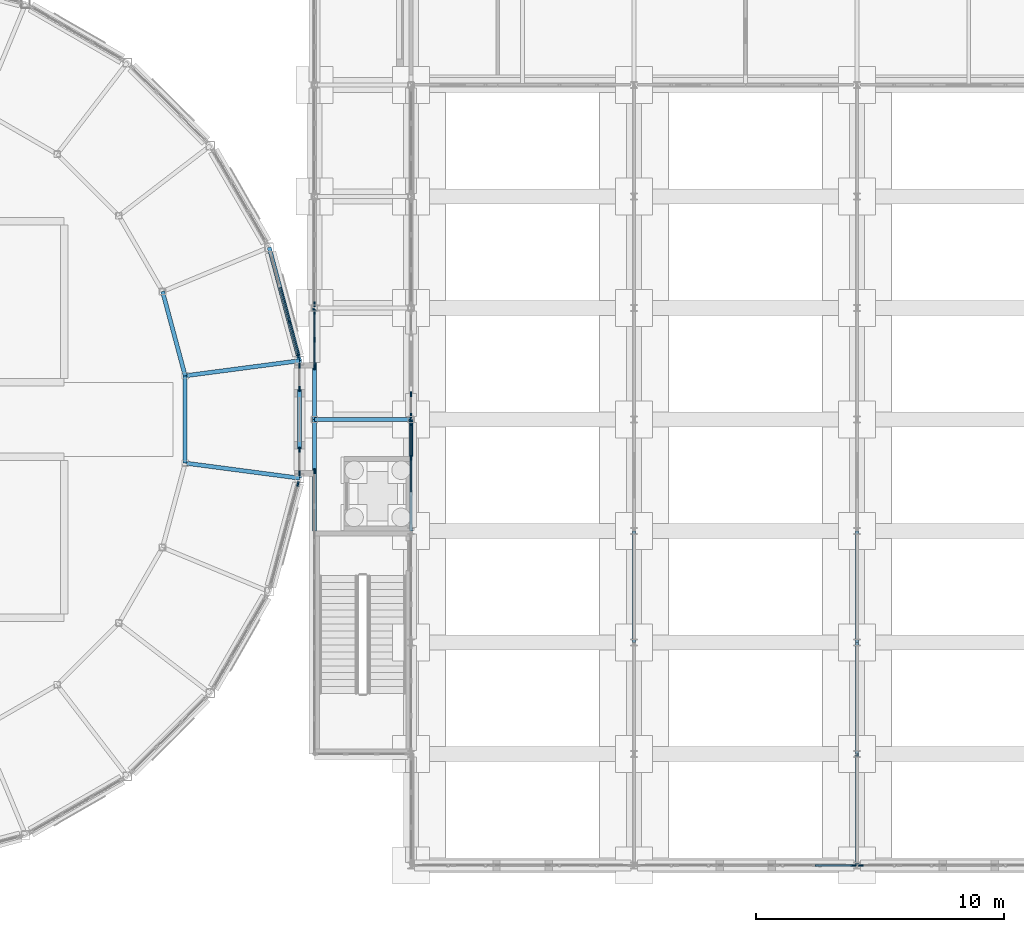
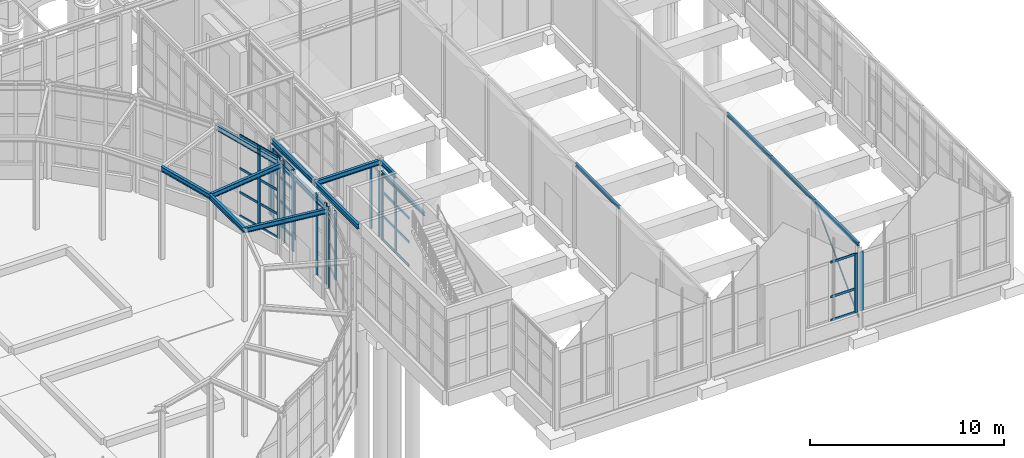
# One storey, part 43 of 106: 46 members, 15 beams, 11 elements without a shape of their own.
"""IFC4 building model written with IfcOpenShell, lengths in metres."""

import ifcopenshell
import ifcopenshell.guid

model = None  # the IFC model being written
_history = None  # IfcOwnerHistory: only IFC2X3 demands one
_inside = {}  # id of a spatial element -> (the spatial element, [elements in it])
_under = {}  # id of a project, library or spatial element -> (it, [spatial elements below it])
_declared = {}  # id of a project -> (the project, [libraries it declares])
_typed = {}  # id of a type object -> (the type object, [elements of that type])
_made_of = {}  # id of a material, layer set ... -> (it, [elements and type objects made of it])


def new_model(schema):
    """Start an empty IFC model of exactly this schema.

    Asked for "IFC4X3", IfcOpenShell would pick the latest addendum, in which some entities
    have other attributes; the version numbers below select the first issue.
    IFC2X3 requires an IfcOwnerHistory on every rooted entity: one is made here for all.
    """
    global model, _history
    if schema == "IFC4X3":
        model = ifcopenshell.file(schema_version=(4, 3, 0, 0))
    else:
        model = ifcopenshell.file(schema=schema)
    _inside.clear()
    _under.clear()
    _declared.clear()
    _typed.clear()
    _made_of.clear()
    _history = None
    if model.schema == "IFC2X3":
        org = make("IfcOrganization", Name="unknown")
        user = make(
            "IfcPersonAndOrganization",
            ThePerson=make("IfcPerson", FamilyName="unknown"),
            TheOrganization=org,
        )
        app = make(
            "IfcApplication",
            ApplicationDeveloper=org,
            Version="unknown",
            ApplicationFullName="unknown",
            ApplicationIdentifier="unknown",
        )
        _history = make(
            "IfcOwnerHistory",
            OwningUser=user,
            OwningApplication=app,
            ChangeAction="ADDED",
            CreationDate=0,
        )
    return model


def make(cls, **values):
    """One entity of the class cls with the attributes given. An attribute that is None is left unset."""
    return model.create_entity(
        cls, **{name: value for name, value in values.items() if value is not None}
    )


def rooted(cls, **values):
    """An entity with a GlobalId (a new one), such as an element, a storey or a relation."""
    return make(cls, GlobalId=ifcopenshell.guid.new(), OwnerHistory=_history, **values)


def si_unit(unit_type, name, prefix=None):
    """IfcSIUnit, for example si_unit("LENGTHUNIT", "METRE", prefix="MILLI")."""
    return make("IfcSIUnit", UnitType=unit_type, Prefix=prefix, Name=name)


def assignment(units):
    """IfcUnitAssignment: the units of a project."""
    return None if units is None else make("IfcUnitAssignment", Units=units)


def point(xyz):
    """IfcCartesianPoint."""
    return None if xyz is None else make("IfcCartesianPoint", Coordinates=xyz)


def direction(xyz):
    """IfcDirection."""
    return None if xyz is None else make("IfcDirection", DirectionRatios=xyz)


def frame(location, z_axis=None, x_axis=None):
    """IfcAxis2Placement3D, a coordinate frame: its origin and axes. An axis left out is left unset."""
    return make(
        "IfcAxis2Placement3D",
        Location=point(location),
        Axis=direction(z_axis),
        RefDirection=direction(x_axis),
    )


def frame_2d(location, x_axis=None):
    """IfcAxis2Placement2D, a coordinate frame in the plane: its origin and x axis."""
    return make(
        "IfcAxis2Placement2D", Location=point(location), RefDirection=direction(x_axis)
    )


def origin():
    """The frame at (0, 0, 0) with its axes left unset."""
    return frame((0.0, 0.0, 0.0))


def origin_2d():
    """The frame at (0, 0) in the plane with its x axis left unset."""
    return frame_2d((0.0, 0.0))


def place(relative_to, where):
    """IfcLocalPlacement: puts the frame where relative to a parent placement (None: the world)."""
    return make(
        "IfcLocalPlacement", PlacementRelTo=relative_to, RelativePlacement=where
    )


def context(
    kind, dimensions, precision=None, world=None, true_north=None, identifier=None
):
    """IfcGeometricRepresentationContext, for example the 3D "Model" context."""
    return make(
        "IfcGeometricRepresentationContext",
        ContextIdentifier=identifier,
        ContextType=kind,
        CoordinateSpaceDimension=dimensions,
        Precision=precision,
        WorldCoordinateSystem=world,
        TrueNorth=true_north,
    )


def subcontext(parent, identifier, kind, view, scale=None):
    """IfcGeometricRepresentationSubContext, for example "Body" below "Model"."""
    return make(
        "IfcGeometricRepresentationSubContext",
        ContextIdentifier=identifier,
        ContextType=kind,
        ParentContext=parent,
        TargetScale=scale,
        TargetView=view,
    )


def project(units=None, contexts=None):
    """IfcProject with its units and contexts."""
    return rooted(
        "IfcProject",
        Name="project",
        RepresentationContexts=contexts,
        UnitsInContext=assignment(units),
    )


def spatial(cls, under=None, at=None, **own):
    """A site, building, storey or space (cls), placed at a placement, below another one or the project."""
    s = rooted(cls, ObjectPlacement=at, **own)
    if under is not None:
        _under.setdefault(under.id(), (under, []))[1].append(s)
    return s


def profile(cls, at=None, kind="AREA", **sizes):
    """A parametric profile (cls). Its sizes go by their IFC names, for example OverallWidth=200.0."""
    return make(cls, ProfileType=kind, Position=at, **sizes)


def rectangle(**sizes):
    """IfcRectangleProfileDef."""
    return profile("IfcRectangleProfileDef", **sizes)


def hollow_circle(**sizes):
    """IfcCircleHollowProfileDef."""
    return profile("IfcCircleHollowProfileDef", **sizes)


def i_section(**sizes):
    """IfcIShapeProfileDef."""
    return profile("IfcIShapeProfileDef", **sizes)


def extrude(swept, where, along, depth):
    """IfcExtrudedAreaSolid: the profile swept, set in the frame where, extruded along a direction by depth."""
    return make(
        "IfcExtrudedAreaSolid",
        SweptArea=swept,
        Position=where,
        ExtrudedDirection=direction(along),
        Depth=depth,
    )


def shape(context_of_items, identifier, shape_type, items):
    """IfcShapeRepresentation: the items that make up one representation, for example the "Body"."""
    return make(
        "IfcShapeRepresentation",
        ContextOfItems=context_of_items,
        RepresentationIdentifier=identifier,
        RepresentationType=shape_type,
        Items=items,
    )


def material(Name=None, Category=None):
    """IfcMaterial."""
    return make("IfcMaterial", Name=Name, Category=Category)


def layer(
    of_material, thickness, ventilated=None, Name=None, Category=None, Priority=None
):
    """IfcMaterialLayer: one layer of a wall or slab, of a material (None: an air gap)."""
    return make(
        "IfcMaterialLayer",
        Material=of_material,
        LayerThickness=thickness,
        IsVentilated=ventilated,
        Name=Name,
        Category=Category,
        Priority=Priority,
    )


def layer_set(layers, Name=None):
    """IfcMaterialLayerSet."""
    return make("IfcMaterialLayerSet", MaterialLayers=layers, LayerSetName=Name)


def material_profile(
    of_material, cross_section, Name=None, Category=None, Priority=None
):
    """IfcMaterialProfile: a cross section and its material."""
    return make(
        "IfcMaterialProfile",
        Name=Name,
        Material=of_material,
        Profile=cross_section,
        Priority=Priority,
        Category=Category,
    )


def profile_set(profiles, Name=None, composite=None):
    """IfcMaterialProfileSet."""
    return make(
        "IfcMaterialProfileSet",
        Name=Name,
        MaterialProfiles=profiles,
        CompositeProfile=composite,
    )


def made_of(thing, what):
    """Note that an element or type object is made of a material, layer set ...; save() writes the relation."""
    if what is not None:
        _made_of.setdefault(what.id(), (what, []))[1].append(thing)
    return thing


def type_object(cls, material=None, **own):
    """A type object (cls), such as IfcWallType, which elements share."""
    return made_of(rooted(cls, **own), material)


def element(
    cls,
    number,
    at=None,
    inside=None,
    cuts=None,
    type_object=None,
    material=None,
    context=None,
    identifier="Body",
    shape_type=None,
    held_by="IfcProductDefinitionShape",
    body=None,
    shapes=None,
    **own,
):
    """One element of the class cls, such as IfcWall. Its Tag is "e" and its number.

    at: its placement. inside: the storey or other place that contains it. cuts: it is an
    opening in that element (IfcRelVoidsElement). A single representation is given by context,
    identifier, shape_type and body (its items); several are given by shapes. held_by: the class
    of the entity that holds the representations. save() writes the other relations.
    """
    e = rooted(cls, Tag="e%d" % number, ObjectPlacement=at, **own)
    if body is not None:
        shapes = [shape(context, identifier, shape_type, body)]
    if shapes is not None:
        e.Representation = make(held_by, Representations=shapes)
    if inside is not None:
        _inside.setdefault(inside.id(), (inside, []))[1].append(e)
    if cuts is not None:
        rooted(
            "IfcRelVoidsElement", RelatingBuildingElement=cuts, RelatedOpeningElement=e
        )
    if type_object is not None:
        _typed.setdefault(type_object.id(), (type_object, []))[1].append(e)
    return made_of(e, material)


def aggregate(whole, parts):
    """IfcRelAggregates: a whole, such as a stair, and the parts it consists of."""
    return rooted("IfcRelAggregates", RelatingObject=whole, RelatedObjects=parts)


def save(model, path):
    """Write the relations noted so far, then the file.

    IfcRelAggregates (storeys below a building ...), IfcRelContainedInSpatialStructure (elements
    in a storey), IfcRelDefinesByType, IfcRelAssociatesMaterial and IfcRelDeclares: one each for
    every whole, place, type object, material and project.
    """
    for whole, parts in _under.values():
        aggregate(whole, parts)
    for where, things in _inside.values():
        rooted(
            "IfcRelContainedInSpatialStructure",
            RelatedElements=things,
            RelatingStructure=where,
        )
    for kind, things in _typed.values():
        rooted("IfcRelDefinesByType", RelatedObjects=things, RelatingType=kind)
    for what, things in _made_of.values():
        rooted("IfcRelAssociatesMaterial", RelatedObjects=things, RelatingMaterial=what)
    for by, libraries in _declared.values():
        rooted("IfcRelDeclares", RelatingContext=by, RelatedDefinitions=libraries)
    model.write(path)


model = new_model("IFC4")

# Units and contexts
model_context = context("Model", 3, precision=1e-05, world=origin(), true_north=direction((0.0, 1.0)))
body_context = subcontext(model_context, "Body", "Model", "MODEL_VIEW")
ifc_project = project(units=[si_unit("LENGTHUNIT", "METRE"), si_unit("AREAUNIT", "SQUARE_METRE"), si_unit("VOLUMEUNIT", "CUBIC_METRE"), si_unit("PLANEANGLEUNIT", "RADIAN"), si_unit("MASSUNIT", "GRAM", prefix="KILO")], contexts=[model_context])

# Site, building, storey
site_placement = place(None, origin())
site = spatial("IfcSite", under=ifc_project, at=site_placement, CompositionType="ELEMENT")
building_placement = place(site_placement, origin())
building = spatial("IfcBuilding", under=site, at=building_placement, Name="Hortulan Conservatory and Botanical Research Centre", CompositionType="ELEMENT")
storey_placement = place(building_placement, origin())
storey = spatial("IfcBuildingStorey", under=building, at=storey_placement, Name="L00", CompositionType="ELEMENT", Elevation=0.0)

# Curtain wall, members
ifc_material_1 = material(Name="Bronze-finished aluminium", Category="aluminium")
ifc_layer = layer(ifc_material_1, 0.10009765625)
ifc_layer_set = layer_set([ifc_layer], Name="Bronze-framed Curtain Wall 1500 module")
curtain_wall_type = type_object("IfcCurtainWallType", Name="Bronze-framed Curtain Wall 1500 module", PredefinedType="NOTDEFINED", material=ifc_layer_set)
curtain_wall_1_placement = place(storey_placement, origin())
curtain_wall_1 = element("IfcCurtainWall", 1, at=curtain_wall_1_placement, inside=storey, type_object=curtain_wall_type, Name="Curtain wall", PredefinedType="NOTDEFINED")
ifc_material_profile_1 = material_profile(ifc_material_1, rectangle(XDim=0.06005859375, YDim=0.199951171875, at=origin_2d()), Name="Bronze Mullion 60x200")
ifc_profile_set_1 = profile_set([ifc_material_profile_1], Name="Bronze-finished aluminium")
member_type_1 = type_object("IfcMemberType", Name="Bronze Mullion 60x200", PredefinedType="MULLION", material=ifc_profile_set_1)
member_1_placement = place(storey_placement, frame((71.572509765625, 21.965087890625, 0.89990234375), z_axis=(0.0, 0.0, 1.0), x_axis=(0.965922372015, 0.258831936284, 0.0)))
member_1 = element("IfcMember", 2, at=member_1_placement, type_object=member_type_1, Name="CW1 mullion 3", PredefinedType="MULLION", context=body_context, shape_type="SweptSolid", body=[
    extrude(rectangle(XDim=0.06005859375, YDim=0.199951171875, at=origin_2d()), origin(), (0.0, 0.0, 1.0), 5.10009765625),
])
member_2_placement = place(storey_placement, frame((71.936767578125, 20.60595703125, 0.89990234375), z_axis=(0.0, 0.0, 1.0), x_axis=(0.965922372015, 0.258831936284, 0.0)))
member_2 = element("IfcMember", 3, at=member_2_placement, type_object=member_type_1, Name="CW1 mullion 4", PredefinedType="MULLION", context=body_context, shape_type="SweptSolid", body=[
    extrude(rectangle(XDim=0.06005859375, YDim=0.199951171875, at=origin_2d()), origin(), (0.0, 0.0, 1.0), 5.10009765625),
])

# Curtain wall, member
curtain_wall_2_placement = place(storey_placement, origin())
curtain_wall_2 = element("IfcCurtainWall", 4, at=curtain_wall_2_placement, inside=storey, type_object=curtain_wall_type, Name="Curtain wall", PredefinedType="NOTDEFINED")
member_3_placement = place(storey_placement, frame((71.936767578125, 15.39404296875, 0.89990234375), z_axis=(0.0, 0.0, 1.0), x_axis=(0.965922372015, -0.258831936284, 0.0)))
member_3 = element("IfcMember", 5, at=member_3_placement, type_object=member_type_1, Name="CW1 mullion 1", PredefinedType="MULLION", context=body_context, shape_type="SweptSolid", body=[
    extrude(rectangle(XDim=0.06005859375, YDim=0.199951171875, at=origin_2d()), origin(), (0.0, 0.0, 1.0), 5.10009765625),
])
aggregate(curtain_wall_2, [member_3])

# Curtain wall, members
curtain_wall_3_placement = place(storey_placement, origin())
curtain_wall_3 = element("IfcCurtainWall", 6, at=curtain_wall_3_placement, inside=storey, type_object=curtain_wall_type, Name="Curtain wall", PredefinedType="NOTDEFINED")
member_4_placement = place(storey_placement, frame((72.0, 20.1650390625, 0.89990234375), z_axis=(0.0, 0.0, 1.0), x_axis=(1.0, 0.0, 0.0)))
member_4 = element("IfcMember", 7, at=member_4_placement, type_object=member_type_1, Name="CW1 mullion 1", PredefinedType="MULLION", context=body_context, shape_type="SweptSolid", body=[
    extrude(rectangle(XDim=0.06005859375, YDim=0.199951171875, at=origin_2d()), origin(), (0.0, 0.0, 1.0), 5.10009765625),
])
member_5_placement = place(storey_placement, frame((72.0, 19.22998046875, 0.89990234375), z_axis=(0.0, 0.0, 1.0), x_axis=(1.0, 0.0, 0.0)))
member_5 = element("IfcMember", 8, at=member_5_placement, type_object=member_type_1, Name="CW1 mullion 2", PredefinedType="MULLION", context=body_context, shape_type="SweptSolid", body=[
    extrude(rectangle(XDim=0.06005859375, YDim=0.199951171875, at=origin_2d()), origin(), (0.0, 0.0, 1.0), 5.10009765625),
])
aggregate(curtain_wall_3, [member_4, member_5])

curtain_wall_4_placement = place(storey_placement, origin())
curtain_wall_4 = element("IfcCurtainWall", 9, at=curtain_wall_4_placement, inside=storey, type_object=curtain_wall_type, Name="Curtain wall", PredefinedType="NOTDEFINED")
member_6_placement = place(storey_placement, frame((72.0, 16.77001953125, 0.89990234375), z_axis=(0.0, 0.0, 1.0), x_axis=(1.0, 0.0, 0.0)))
member_6 = element("IfcMember", 10, at=member_6_placement, type_object=member_type_1, Name="CW1 mullion 1", PredefinedType="MULLION", context=body_context, shape_type="SweptSolid", body=[
    extrude(rectangle(XDim=0.06005859375, YDim=0.199951171875, at=origin_2d()), origin(), (0.0, 0.0, 1.0), 5.10009765625),
])
member_7_placement = place(storey_placement, frame((72.0, 15.8349609375, 0.89990234375), z_axis=(0.0, 0.0, 1.0), x_axis=(1.0, 0.0, 0.0)))
member_7 = element("IfcMember", 11, at=member_7_placement, type_object=member_type_1, Name="CW1 mullion 2", PredefinedType="MULLION", context=body_context, shape_type="SweptSolid", body=[
    extrude(rectangle(XDim=0.06005859375, YDim=0.199951171875, at=origin_2d()), origin(), (0.0, 0.0, 1.0), 5.10009765625),
])
aggregate(curtain_wall_4, [member_6, member_7])

# Curtain wall, member
curtain_wall_5_placement = place(storey_placement, origin())
curtain_wall_5 = element("IfcCurtainWall", 12, at=curtain_wall_5_placement, inside=storey, type_object=curtain_wall_type, Name="Curtain wall", PredefinedType="NOTDEFINED")
member_8_placement = place(storey_placement, frame((72.60009765625, 15.900390625, 0.89990234375), z_axis=(0.0, 0.0, 1.0), x_axis=(-1.0, 0.0, 0.0)))
member_8 = element("IfcMember", 13, at=member_8_placement, type_object=member_type_1, Name="CW1 mullion 9", PredefinedType="MULLION", context=body_context, shape_type="SweptSolid", body=[
    extrude(rectangle(XDim=0.06005859375, YDim=0.199951171875, at=origin_2d()), origin(), (0.0, 0.0, 1.0), 4.340087890625),
])
aggregate(curtain_wall_5, [member_8])

# Curtain wall, members
curtain_wall_6_placement = place(storey_placement, origin())
curtain_wall_6 = element("IfcCurtainWall", 14, at=curtain_wall_6_placement, inside=storey, type_object=curtain_wall_type, Name="Curtain wall", PredefinedType="NOTDEFINED")
member_9_placement = place(storey_placement, frame((72.60009765625, 20.099609375, 0.89990234375), z_axis=(0.0, 0.0, 1.0), x_axis=(-1.0, 0.0, 0.0)))
member_9 = element("IfcMember", 15, at=member_9_placement, type_object=member_type_1, Name="CW1 mullion 1", PredefinedType="MULLION", context=body_context, shape_type="SweptSolid", body=[
    extrude(rectangle(XDim=0.06005859375, YDim=0.199951171875, at=origin_2d()), origin(), (0.0, 0.0, 1.0), 4.340087890625),
])
member_10_placement = place(storey_placement, frame((72.60009765625, 21.222412109375, 0.89990234375), z_axis=(0.0, 0.0, 1.0), x_axis=(-1.0, 0.0, 0.0)))
member_10 = element("IfcMember", 16, at=member_10_placement, type_object=member_type_1, Name="CW1 mullion 2", PredefinedType="MULLION", context=body_context, shape_type="SweptSolid", body=[
    extrude(rectangle(XDim=0.06005859375, YDim=0.199951171875, at=origin_2d()), origin(), (0.0, 0.0, 1.0), 4.340087890625),
])
member_11_placement = place(storey_placement, frame((72.60009765625, 22.344970703125, 0.89990234375), z_axis=(0.0, 0.0, 1.0), x_axis=(-1.0, 0.0, 0.0)))
member_11 = element("IfcMember", 17, at=member_11_placement, type_object=member_type_1, Name="CW1 mullion 3", PredefinedType="MULLION", context=body_context, shape_type="SweptSolid", body=[
    extrude(rectangle(XDim=0.06005859375, YDim=0.199951171875, at=origin_2d()), origin(), (0.0, 0.0, 1.0), 4.340087890625),
])

# Curtain wall, member
curtain_wall_7_placement = place(storey_placement, origin())
curtain_wall_7 = element("IfcCurtainWall", 18, at=curtain_wall_7_placement, inside=storey, type_object=curtain_wall_type, Name="Curtain wall", PredefinedType="NOTDEFINED")
member_12_placement = place(storey_placement, frame((72.60009765625, 22.655029296875, 0.89990234375), z_axis=(0.0, 0.0, 1.0), x_axis=(-1.0, 0.0, 0.0)))
member_12 = element("IfcMember", 19, at=member_12_placement, type_object=member_type_1, Name="CW1 mullion 1", PredefinedType="MULLION", context=body_context, shape_type="SweptSolid", body=[
    extrude(rectangle(XDim=0.06005859375, YDim=0.199951171875, at=origin_2d()), origin(), (0.0, 0.0, 1.0), 4.340087890625),
])
aggregate(curtain_wall_7, [member_12])

curtain_wall_8_placement = place(storey_placement, origin())
curtain_wall_8 = element("IfcCurtainWall", 20, at=curtain_wall_8_placement, inside=storey, type_object=curtain_wall_type, Name="Curtain wall", PredefinedType="NOTDEFINED")
member_13_placement = place(storey_placement, frame((94.343017578125, 0.0, 0.89990234375), z_axis=(0.0, 0.0, 1.0), x_axis=(0.0, -1.0, 0.0)))
member_13 = element("IfcMember", 21, at=member_13_placement, type_object=member_type_1, Name="CW1 mullion 1", PredefinedType="MULLION", context=body_context, shape_type="SweptSolid", body=[
    extrude(rectangle(XDim=0.06005859375, YDim=0.199951171875, at=origin_2d()), origin(), (0.0, 0.0, 1.0), 3.7001953125),
])

curtain_wall_9_placement = place(storey_placement, origin())
curtain_wall_9 = element("IfcCurtainWall", 22, at=curtain_wall_9_placement, inside=storey, type_object=curtain_wall_type, Name="Curtain wall", PredefinedType="NOTDEFINED")
member_14_placement = place(storey_placement, frame((94.656982421875, 0.0, 0.89990234375), z_axis=(0.0, 0.0, 1.0), x_axis=(0.0, -1.0, 0.0)))
member_14 = element("IfcMember", 23, at=member_14_placement, type_object=member_type_1, Name="CW1 mullion 3", PredefinedType="MULLION", context=body_context, shape_type="SweptSolid", body=[
    extrude(rectangle(XDim=0.06005859375, YDim=0.199951171875, at=origin_2d()), origin(), (0.0, 0.0, 1.0), 3.7001953125),
])
aggregate(curtain_wall_9, [member_14])

# Curtain wall, members
curtain_wall_10_placement = place(storey_placement, origin())
curtain_wall_10 = element("IfcCurtainWall", 24, at=curtain_wall_10_placement, inside=storey, type_object=curtain_wall_type, Name="Curtain wall", PredefinedType="NOTDEFINED")
member_15_placement = place(storey_placement, frame((76.5, 19.02001953125, 0.89990234375), z_axis=(0.0, 0.0, 1.0), x_axis=(1.0, 0.0, 0.0)))
member_15 = element("IfcMember", 25, at=member_15_placement, type_object=member_type_1, Name="CW1 mullion 1", PredefinedType="MULLION", context=body_context, shape_type="SweptSolid", body=[
    extrude(rectangle(XDim=0.06005859375, YDim=0.199951171875, at=origin_2d()), origin(), (0.0, 0.0, 1.0), 4.10009765625),
])
member_16_placement = place(storey_placement, frame((76.5, 18.155029296875, 0.89990234375), z_axis=(0.0, 0.0, 1.0), x_axis=(1.0, 0.0, 0.0)))
member_16 = element("IfcMember", 26, at=member_16_placement, type_object=member_type_1, Name="CW1 mullion 2", PredefinedType="MULLION", context=body_context, shape_type="SweptSolid", body=[
    extrude(rectangle(XDim=0.06005859375, YDim=0.199951171875, at=origin_2d()), origin(), (0.0, 0.0, 1.0), 4.10009765625),
])
aggregate(curtain_wall_10, [member_15, member_16])

curtain_wall_11_placement = place(storey_placement, origin())
curtain_wall_11 = element("IfcCurtainWall", 27, at=curtain_wall_11_placement, inside=storey, type_object=curtain_wall_type, Name="Curtain wall", PredefinedType="NOTDEFINED")
member_17_placement = place(storey_placement, frame((76.5, 17.844970703125, 0.89990234375), z_axis=(0.0, 0.0, 1.0), x_axis=(1.0, 0.0, 0.0)))
member_17 = element("IfcMember", 28, at=member_17_placement, type_object=member_type_1, Name="CW1 mullion 1", PredefinedType="MULLION", context=body_context, shape_type="SweptSolid", body=[
    extrude(rectangle(XDim=0.06005859375, YDim=0.199951171875, at=origin_2d()), origin(), (0.0, 0.0, 1.0), 4.10009765625),
])
member_18_placement = place(storey_placement, frame((76.5, 16.458984375, 0.89990234375), z_axis=(0.0, 0.0, 1.0), x_axis=(1.0, 0.0, 0.0)))
member_18 = element("IfcMember", 29, at=member_18_placement, type_object=member_type_1, Name="CW1 mullion 2", PredefinedType="MULLION", context=body_context, shape_type="SweptSolid", body=[
    extrude(rectangle(XDim=0.06005859375, YDim=0.199951171875, at=origin_2d()), origin(), (0.0, 0.0, 1.0), 4.10009765625),
])

# Member
ifc_material_profile_2 = material_profile(ifc_material_1, rectangle(XDim=0.06005859375, YDim=0.14990234375, at=origin_2d()), Name="Bronze Transom 60x150")
ifc_profile_set_2 = profile_set([ifc_material_profile_2], Name="Bronze-finished aluminium")
member_type_2 = type_object("IfcMemberType", Name="Bronze Transom 60x150", PredefinedType="USERDEFINED", material=ifc_profile_set_2)
member_19_placement = place(storey_placement, frame((71.20849609375, 23.323974609375, 0.929931640625), z_axis=(0.258688817498, -0.965960711262, 0.0), x_axis=(0.965960711262, 0.258688817498, 0.0)))
member_19 = element("IfcMember", 30, at=member_19_placement, type_object=member_type_2, Name="CW1 transom 2.1", ObjectType="TRANSOM", PredefinedType="USERDEFINED", context=body_context, shape_type="SweptSolid", body=[
    extrude(rectangle(XDim=0.06005859375, YDim=0.14990234375, at=origin_2d()), origin(), (0.0, 0.0, 1.0), 1.376953125),
])

member_20_placement = place(storey_placement, frame((71.20849609375, 23.323974609375, 2.39990234375), z_axis=(0.258688817498, -0.965960711262, 0.0), x_axis=(0.965960711262, 0.258688817498, 0.0)))
member_20 = element("IfcMember", 31, at=member_20_placement, type_object=member_type_2, Name="CW1 transom 2.2", ObjectType="TRANSOM", PredefinedType="USERDEFINED", context=body_context, shape_type="SweptSolid", body=[
    extrude(rectangle(XDim=0.06005859375, YDim=0.14990234375, at=origin_2d()), origin(), (0.0, 0.0, 1.0), 1.376953125),
])

member_21_placement = place(storey_placement, frame((71.20849609375, 23.323974609375, 3.89990234375), z_axis=(0.258688817498, -0.965960711262, 0.0), x_axis=(0.965960711262, 0.258688817498, 0.0)))
member_21 = element("IfcMember", 32, at=member_21_placement, type_object=member_type_2, Name="CW1 transom 2.3", ObjectType="TRANSOM", PredefinedType="USERDEFINED", context=body_context, shape_type="SweptSolid", body=[
    extrude(rectangle(XDim=0.06005859375, YDim=0.14990234375, at=origin_2d()), origin(), (0.0, 0.0, 1.0), 1.376953125),
])

member_22_placement = place(storey_placement, frame((71.20849609375, 23.323974609375, 5.969970703125), z_axis=(0.258688817498, -0.965960711262, 0.0), x_axis=(0.965960711262, 0.258688817498, 0.0)))
member_22 = element("IfcMember", 33, at=member_22_placement, type_object=member_type_2, Name="CW1 transom 2.4", ObjectType="TRANSOM", PredefinedType="USERDEFINED", context=body_context, shape_type="SweptSolid", body=[
    extrude(rectangle(XDim=0.06005859375, YDim=0.14990234375, at=origin_2d()), origin(), (0.0, 0.0, 1.0), 1.376953125),
])

member_23_placement = place(storey_placement, frame((71.580322265625, 21.93603515625, 0.929931640625), z_axis=(0.258835745824, -0.965921351189, 0.0), x_axis=(0.965921351189, 0.258835745824, 0.0)))
member_23 = element("IfcMember", 34, at=member_23_placement, type_object=member_type_2, Name="CW1 transom 3.1", ObjectType="TRANSOM", PredefinedType="USERDEFINED", context=body_context, shape_type="SweptSolid", body=[
    extrude(rectangle(XDim=0.06005859375, YDim=0.14990234375, at=origin_2d()), origin(), (0.0, 0.0, 1.0), 1.346923828125),
])

member_24_placement = place(storey_placement, frame((71.580322265625, 21.93603515625, 2.39990234375), z_axis=(0.258835745824, -0.965921351189, 0.0), x_axis=(0.965921351189, 0.258835745824, 0.0)))
member_24 = element("IfcMember", 35, at=member_24_placement, type_object=member_type_2, Name="CW1 transom 3.2", ObjectType="TRANSOM", PredefinedType="USERDEFINED", context=body_context, shape_type="SweptSolid", body=[
    extrude(rectangle(XDim=0.06005859375, YDim=0.14990234375, at=origin_2d()), origin(), (0.0, 0.0, 1.0), 1.346923828125),
])

member_25_placement = place(storey_placement, frame((71.580322265625, 21.93603515625, 3.89990234375), z_axis=(0.258835745824, -0.965921351189, 0.0), x_axis=(0.965921351189, 0.258835745824, 0.0)))
member_25 = element("IfcMember", 36, at=member_25_placement, type_object=member_type_2, Name="CW1 transom 3.3", ObjectType="TRANSOM", PredefinedType="USERDEFINED", context=body_context, shape_type="SweptSolid", body=[
    extrude(rectangle(XDim=0.06005859375, YDim=0.14990234375, at=origin_2d()), origin(), (0.0, 0.0, 1.0), 1.346923828125),
])

member_26_placement = place(storey_placement, frame((71.580322265625, 21.93603515625, 5.969970703125), z_axis=(0.258835745824, -0.965921351189, 0.0), x_axis=(0.965921351189, 0.258835745824, 0.0)))
member_26 = element("IfcMember", 37, at=member_26_placement, type_object=member_type_2, Name="CW1 transom 3.4", ObjectType="TRANSOM", PredefinedType="USERDEFINED", context=body_context, shape_type="SweptSolid", body=[
    extrude(rectangle(XDim=0.06005859375, YDim=0.14990234375, at=origin_2d()), origin(), (0.0, 0.0, 1.0), 1.346923828125),
])

aggregate(curtain_wall_1, [member_1, member_2, member_19, member_20, member_21, member_22, member_23, member_24, member_25, member_26])

member_27_placement = place(storey_placement, frame((72.60009765625, 20.129638671875, 0.929931640625), z_axis=(0.0, 1.0, 0.0), x_axis=(-1.0, 0.0, 0.0)))
member_27 = element("IfcMember", 38, at=member_27_placement, type_object=member_type_2, Name="CW1 transom 1.1", ObjectType="TRANSOM", PredefinedType="USERDEFINED", context=body_context, shape_type="SweptSolid", body=[
    extrude(rectangle(XDim=0.06005859375, YDim=0.14990234375, at=origin_2d()), origin(), (0.0, 0.0, 1.0), 1.062744140625),
])

member_28_placement = place(storey_placement, frame((72.60009765625, 20.129638671875, 2.39990234375), z_axis=(0.0, 1.0, 0.0), x_axis=(-1.0, 0.0, 0.0)))
member_28 = element("IfcMember", 39, at=member_28_placement, type_object=member_type_2, Name="CW1 transom 1.2", ObjectType="TRANSOM", PredefinedType="USERDEFINED", context=body_context, shape_type="SweptSolid", body=[
    extrude(rectangle(XDim=0.06005859375, YDim=0.14990234375, at=origin_2d()), origin(), (0.0, 0.0, 1.0), 1.062744140625),
])

member_29_placement = place(storey_placement, frame((72.60009765625, 20.129638671875, 3.89990234375), z_axis=(0.0, 1.0, 0.0), x_axis=(-1.0, 0.0, 0.0)))
member_29 = element("IfcMember", 40, at=member_29_placement, type_object=member_type_2, Name="CW1 transom 1.3", ObjectType="TRANSOM", PredefinedType="USERDEFINED", context=body_context, shape_type="SweptSolid", body=[
    extrude(rectangle(XDim=0.06005859375, YDim=0.14990234375, at=origin_2d()), origin(), (0.0, 0.0, 1.0), 1.062744140625),
])

member_30_placement = place(storey_placement, frame((72.60009765625, 20.129638671875, 5.2099609375), z_axis=(0.0, 1.0, 0.0), x_axis=(-1.0, 0.0, 0.0)))
member_30 = element("IfcMember", 41, at=member_30_placement, type_object=member_type_2, Name="CW1 transom 1.4", ObjectType="TRANSOM", PredefinedType="USERDEFINED", context=body_context, shape_type="SweptSolid", body=[
    extrude(rectangle(XDim=0.06005859375, YDim=0.14990234375, at=origin_2d()), origin(), (0.0, 0.0, 1.0), 1.062744140625),
])

member_31_placement = place(storey_placement, frame((72.60009765625, 21.25244140625, 0.929931640625), z_axis=(0.0, 1.0, 0.0), x_axis=(-1.0, 0.0, 0.0)))
member_31 = element("IfcMember", 42, at=member_31_placement, type_object=member_type_2, Name="CW1 transom 2.1", ObjectType="TRANSOM", PredefinedType="USERDEFINED", context=body_context, shape_type="SweptSolid", body=[
    extrude(rectangle(XDim=0.06005859375, YDim=0.14990234375, at=origin_2d()), origin(), (0.0, 0.0, 1.0), 1.0625),
])

member_32_placement = place(storey_placement, frame((72.60009765625, 21.25244140625, 2.39990234375), z_axis=(0.0, 1.0, 0.0), x_axis=(-1.0, 0.0, 0.0)))
member_32 = element("IfcMember", 43, at=member_32_placement, type_object=member_type_2, Name="CW1 transom 2.2", ObjectType="TRANSOM", PredefinedType="USERDEFINED", context=body_context, shape_type="SweptSolid", body=[
    extrude(rectangle(XDim=0.06005859375, YDim=0.14990234375, at=origin_2d()), origin(), (0.0, 0.0, 1.0), 1.0625),
])

member_33_placement = place(storey_placement, frame((72.60009765625, 21.25244140625, 3.89990234375), z_axis=(0.0, 1.0, 0.0), x_axis=(-1.0, 0.0, 0.0)))
member_33 = element("IfcMember", 44, at=member_33_placement, type_object=member_type_2, Name="CW1 transom 2.3", ObjectType="TRANSOM", PredefinedType="USERDEFINED", context=body_context, shape_type="SweptSolid", body=[
    extrude(rectangle(XDim=0.06005859375, YDim=0.14990234375, at=origin_2d()), origin(), (0.0, 0.0, 1.0), 1.0625),
])

member_34_placement = place(storey_placement, frame((72.60009765625, 21.25244140625, 5.2099609375), z_axis=(0.0, 1.0, 0.0), x_axis=(-1.0, 0.0, 0.0)))
member_34 = element("IfcMember", 45, at=member_34_placement, type_object=member_type_2, Name="CW1 transom 2.4", ObjectType="TRANSOM", PredefinedType="USERDEFINED", context=body_context, shape_type="SweptSolid", body=[
    extrude(rectangle(XDim=0.06005859375, YDim=0.14990234375, at=origin_2d()), origin(), (0.0, 0.0, 1.0), 1.0625),
])

aggregate(curtain_wall_6, [member_9, member_10, member_11, member_27, member_28, member_29, member_30, member_31, member_32, member_33, member_34])

member_35_placement = place(storey_placement, frame((94.31298828125, 0.0, 0.929931640625), z_axis=(-1.0, 0.0, 0.0), x_axis=(0.0, -1.0, 0.0)))
member_35 = element("IfcMember", 46, at=member_35_placement, type_object=member_type_2, Name="CW1 transom 1.1", ObjectType="TRANSOM", PredefinedType="USERDEFINED", context=body_context, shape_type="SweptSolid", body=[
    extrude(rectangle(XDim=0.06005859375, YDim=0.14990234375, at=origin_2d()), origin(), (0.0, 0.0, 1.0), 1.49658203125),
])

member_36_placement = place(storey_placement, frame((94.31298828125, 0.0, 2.39990234375), z_axis=(-1.0, 0.0, 0.0), x_axis=(0.0, -1.0, 0.0)))
member_36 = element("IfcMember", 47, at=member_36_placement, type_object=member_type_2, Name="CW1 transom 1.2", ObjectType="TRANSOM", PredefinedType="USERDEFINED", context=body_context, shape_type="SweptSolid", body=[
    extrude(rectangle(XDim=0.06005859375, YDim=0.14990234375, at=origin_2d()), origin(), (0.0, 0.0, 1.0), 1.49658203125),
])

member_37_placement = place(storey_placement, frame((94.31298828125, 0.0, 4.570068359375), z_axis=(-1.0, 0.0, 0.0), x_axis=(0.0, -1.0, 0.0)))
member_37 = element("IfcMember", 48, at=member_37_placement, type_object=member_type_2, Name="CW1 transom 1.3", ObjectType="TRANSOM", PredefinedType="USERDEFINED", context=body_context, shape_type="SweptSolid", body=[
    extrude(rectangle(XDim=0.06005859375, YDim=0.14990234375, at=origin_2d()), origin(), (0.0, 0.0, 1.0), 1.49658203125),
])

aggregate(curtain_wall_8, [member_13, member_35, member_36, member_37])

member_38_placement = place(storey_placement, frame((76.5, 17.81494140625, 0.929931640625), z_axis=(0.0, -1.0, 0.0), x_axis=(1.0, 0.0, 0.0)))
member_38 = element("IfcMember", 49, at=member_38_placement, type_object=member_type_2, Name="CW1 transom 1.1", ObjectType="TRANSOM", PredefinedType="USERDEFINED", context=body_context, shape_type="SweptSolid", body=[
    extrude(rectangle(XDim=0.06005859375, YDim=0.14990234375, at=origin_2d()), origin(), (0.0, 0.0, 1.0), 1.325927734375),
])

member_39_placement = place(storey_placement, frame((76.5, 17.81494140625, 2.39990234375), z_axis=(0.0, -1.0, 0.0), x_axis=(1.0, 0.0, 0.0)))
member_39 = element("IfcMember", 50, at=member_39_placement, type_object=member_type_2, Name="CW1 transom 1.2", ObjectType="TRANSOM", PredefinedType="USERDEFINED", context=body_context, shape_type="SweptSolid", body=[
    extrude(rectangle(XDim=0.06005859375, YDim=0.14990234375, at=origin_2d()), origin(), (0.0, 0.0, 1.0), 1.325927734375),
])

member_40_placement = place(storey_placement, frame((76.5, 17.81494140625, 3.89990234375), z_axis=(0.0, -1.0, 0.0), x_axis=(1.0, 0.0, 0.0)))
member_40 = element("IfcMember", 51, at=member_40_placement, type_object=member_type_2, Name="CW1 transom 1.3", ObjectType="TRANSOM", PredefinedType="USERDEFINED", context=body_context, shape_type="SweptSolid", body=[
    extrude(rectangle(XDim=0.06005859375, YDim=0.14990234375, at=origin_2d()), origin(), (0.0, 0.0, 1.0), 1.325927734375),
])

member_41_placement = place(storey_placement, frame((76.5, 17.81494140625, 4.969970703125), z_axis=(0.0, -1.0, 0.0), x_axis=(1.0, 0.0, 0.0)))
member_41 = element("IfcMember", 52, at=member_41_placement, type_object=member_type_2, Name="CW1 transom 1.4", ObjectType="TRANSOM", PredefinedType="USERDEFINED", context=body_context, shape_type="SweptSolid", body=[
    extrude(rectangle(XDim=0.06005859375, YDim=0.14990234375, at=origin_2d()), origin(), (0.0, 0.0, 1.0), 1.325927734375),
])

member_42_placement = place(storey_placement, frame((76.5, 16.428955078125, 0.929931640625), z_axis=(0.0, -1.0, 0.0), x_axis=(1.0, 0.0, 0.0)))
member_42 = element("IfcMember", 53, at=member_42_placement, type_object=member_type_2, Name="CW1 transom 2.1", ObjectType="TRANSOM", PredefinedType="USERDEFINED", context=body_context, shape_type="SweptSolid", body=[
    extrude(rectangle(XDim=0.06005859375, YDim=0.14990234375, at=origin_2d()), origin(), (0.0, 0.0, 1.0), 1.35595703125),
])

member_43_placement = place(storey_placement, frame((76.5, 16.428955078125, 2.39990234375), z_axis=(0.0, -1.0, 0.0), x_axis=(1.0, 0.0, 0.0)))
member_43 = element("IfcMember", 54, at=member_43_placement, type_object=member_type_2, Name="CW1 transom 2.2", ObjectType="TRANSOM", PredefinedType="USERDEFINED", context=body_context, shape_type="SweptSolid", body=[
    extrude(rectangle(XDim=0.06005859375, YDim=0.14990234375, at=origin_2d()), origin(), (0.0, 0.0, 1.0), 1.35595703125),
])

member_44_placement = place(storey_placement, frame((76.5, 16.428955078125, 3.89990234375), z_axis=(0.0, -1.0, 0.0), x_axis=(1.0, 0.0, 0.0)))
member_44 = element("IfcMember", 55, at=member_44_placement, type_object=member_type_2, Name="CW1 transom 2.3", ObjectType="TRANSOM", PredefinedType="USERDEFINED", context=body_context, shape_type="SweptSolid", body=[
    extrude(rectangle(XDim=0.06005859375, YDim=0.14990234375, at=origin_2d()), origin(), (0.0, 0.0, 1.0), 1.35595703125),
])

member_45_placement = place(storey_placement, frame((76.5, 16.428955078125, 4.969970703125), z_axis=(0.0, -1.0, 0.0), x_axis=(1.0, 0.0, 0.0)))
member_45 = element("IfcMember", 56, at=member_45_placement, type_object=member_type_2, Name="CW1 transom 2.4", ObjectType="TRANSOM", PredefinedType="USERDEFINED", context=body_context, shape_type="SweptSolid", body=[
    extrude(rectangle(XDim=0.06005859375, YDim=0.14990234375, at=origin_2d()), origin(), (0.0, 0.0, 1.0), 1.35595703125),
])

aggregate(curtain_wall_11, [member_17, member_18, member_38, member_39, member_40, member_41, member_42, member_43, member_44, member_45])

ifc_material_2 = material(Name="Steel Grade C350L0 (350 MPa, AS/NZS 1163)", Category="steel")
ifc_material_profile_3 = material_profile(ifc_material_2, hollow_circle(Radius=0.04443359375, WallThickness=0.005859375, at=origin_2d()), Name="88.9x5.9CHS")
ifc_profile_set_3 = profile_set([ifc_material_profile_3], Name="Steel Grade C350L0 (350 MPa, AS/NZS 1163)")
member_type_3 = type_object("IfcMemberType", Name="Climate House Bracing 88.9x5.9 CHS", PredefinedType="BRACE", material=ifc_profile_set_3)
member_46_placement = place(storey_placement, frame((94.5, 0.0, 0.5), z_axis=(0.0, 0.699021115287, 0.715101028095), x_axis=(-1.0, 0.0, 0.0)))
element("IfcMember", 57, at=member_46_placement, inside=storey, type_object=member_type_3, Name="Climate house wall bracing line 3 end bay 1", PredefinedType="BRACE", context=body_context, shape_type="SweptSolid", body=[
    extrude(hollow_circle(Radius=0.04443359375, WallThickness=0.005859375, at=origin_2d()), origin(), (0.0, 0.0, 1.0), 6.4375),
])

# Beams
ifc_material_3 = material(Name="Steel Grade 300PLUS (AS/NZS 3679.1, 280 MPa minimum yield)", Category="steel")
ifc_material_profile_4 = material_profile(ifc_material_3, i_section(OverallWidth=0.134033203125, OverallDepth=0.20703125, WebThickness=0.00634765625, FlangeThickness=0.009521484375, FilletRadius=0.0087890625, at=origin_2d()), Name="200UB29.8")
ifc_profile_set_4 = profile_set([ifc_material_profile_4], Name="Steel Grade 300PLUS (AS/NZS 3679.1, 280 MPa minimum yield)")
beam_type_1 = type_object("IfcBeamType", Name="Climate House Eaves Beam 200UB29.8", PredefinedType="BEAM", material=ifc_profile_set_4)
beam_1_placement = place(storey_placement, frame((76.5, 13.5, 5.103515625), z_axis=(0.0, 1.0, 0.0), x_axis=(-1.0, 0.0, 0.0)))
element("IfcBeam", 58, at=beam_1_placement, inside=storey, type_object=beam_type_1, Name="Climate house eaves beam line 1 bay 4", PredefinedType="BEAM", context=body_context, shape_type="SweptSolid", body=[
    extrude(i_section(OverallWidth=0.134033203125, OverallDepth=0.20703125, WebThickness=0.00634765625, FlangeThickness=0.009521484375, FilletRadius=0.0087890625, at=origin_2d()), origin(), (0.0, 0.0, 1.0), 4.375),
])
for number, where, z_axis, x_axis, name in (
    (59, (85.5, 9.0, 5.103515625), (0.0, 1.0, 0.0), (-1.0, 0.0, 0.0), "Climate house eaves beam line 2 bay 3"),
    (60, (94.5, 0.0, 5.103515625), (0.0, 1.0, 0.0), (-1.0, 0.0, 0.0), "Climate house eaves beam line 3 bay 1"),
    (61, (94.5, 4.5, 5.103515625), (0.0, 1.0, 0.0), (-1.0, 0.0, 0.0), "Climate house eaves beam line 3 bay 2"),
    (62, (94.5, 9.0, 5.103515625), (0.0, 1.0, 0.0), (-1.0, 0.0, 0.0), "Climate house eaves beam line 3 bay 3"),
):
    element("IfcBeam", number, at=place(storey_placement, frame(where, z_axis=z_axis, x_axis=x_axis)), inside=storey, type_object=beam_type_1, Name=name, PredefinedType="BEAM", context=body_context, shape_type="SweptSolid", body=[
        extrude(i_section(OverallWidth=0.134033203125, OverallDepth=0.20703125, WebThickness=0.00634765625, FlangeThickness=0.009521484375, FilletRadius=0.0087890625, at=origin_2d()), origin(), (0.0, 0.0, 1.0), 4.5),
    ])
ifc_material_profile_5 = material_profile(ifc_material_3, i_section(OverallWidth=0.166015625, OverallDepth=0.306884765625, WebThickness=0.006591796875, FlangeThickness=0.01171875, FilletRadius=0.011474609375, at=origin_2d()), Name="310UB46.2")
ifc_profile_set_5 = profile_set([ifc_material_profile_5], Name="Steel Grade 300PLUS (AS/NZS 3679.1, 280 MPa minimum yield)")
beam_type_2 = type_object("IfcBeamType", Name="Dome Canopy Walk Beam 310UB46.2", PredefinedType="BEAM", material=ifc_profile_set_5)
for number, where, z_axis, x_axis, name in (
    (63, (67.384521484375, 19.76220703125, 5.646484375), (0.991450903672, 0.130480288196, 0.0), (-0.130480288196, 0.991450903672, 0.0), "Canopy walk radial beam 01"),
    (64, (67.384521484375, 16.23779296875, 5.646484375), (0.991450903672, -0.130480288196, 0.0), (0.130480288196, 0.991450903672, 0.0), "Canopy walk radial beam 24"),
):
    element("IfcBeam", number, at=place(storey_placement, frame(where, z_axis=z_axis, x_axis=x_axis)), inside=storey, type_object=beam_type_2, Name=name, PredefinedType="BEAM", context=body_context, shape_type="SweptSolid", body=[
        extrude(i_section(OverallWidth=0.166015625, OverallDepth=0.306884765625, WebThickness=0.006591796875, FlangeThickness=0.01171875, FilletRadius=0.011474609375, at=origin_2d()), origin(), (0.0, 0.0, 1.0), 4.6552734375),
    ])
beam_2_placement = place(storey_placement, frame((72.0, 20.36962890625, 5.646484375), z_axis=(-0.258839073629, 0.965920459439, 0.0), x_axis=(-0.965920459439, -0.258839073629, 0.0)))
element("IfcBeam", 65, at=beam_2_placement, inside=storey, type_object=beam_type_2, Name="Canopy walk edge beam 01", PredefinedType="BEAM", context=body_context, shape_type="SweptSolid", body=[
    extrude(i_section(OverallWidth=0.166015625, OverallDepth=0.306884765625, WebThickness=0.006591796875, FlangeThickness=0.01171875, FilletRadius=0.011474609375, at=origin_2d()), origin(), (0.0, 0.0, 1.0), 4.73974609375),
])
beam_3_placement = place(storey_placement, frame((72.0, 15.63037109375, 5.646484375), z_axis=(0.0, 1.0, 0.0), x_axis=(-1.0, 0.0, 0.0)))
element("IfcBeam", 66, at=beam_3_placement, inside=storey, type_object=beam_type_2, Name="Canopy walk edge beam 24", PredefinedType="BEAM", context=body_context, shape_type="SweptSolid", body=[
    extrude(i_section(OverallWidth=0.166015625, OverallDepth=0.306884765625, WebThickness=0.006591796875, FlangeThickness=0.01171875, FilletRadius=0.011474609375, at=origin_2d()), origin(), (0.0, 0.0, 1.0), 4.7392578125),
])
beam_4_placement = place(storey_placement, frame((67.384521484375, 19.76220703125, 5.646484375), z_axis=(-0.258818037421, 0.965926096296, 0.0), x_axis=(-0.965926096296, -0.258818037421, 0.0)))
element("IfcBeam", 67, at=beam_4_placement, inside=storey, type_object=beam_type_2, Name="Canopy walk inner beam 01", PredefinedType="BEAM", context=body_context, shape_type="SweptSolid", body=[
    extrude(i_section(OverallWidth=0.166015625, OverallDepth=0.306884765625, WebThickness=0.006591796875, FlangeThickness=0.01171875, FilletRadius=0.011474609375, at=origin_2d()), origin(), (0.0, 0.0, 1.0), 3.524169921875),
])
beam_5_placement = place(storey_placement, frame((67.384521484375, 16.23779296875, 5.646484375), z_axis=(0.0, 1.0, 0.0), x_axis=(-1.0, 0.0, 0.0)))
element("IfcBeam", 68, at=beam_5_placement, inside=storey, type_object=beam_type_2, Name="Canopy walk inner beam 24", PredefinedType="BEAM", context=body_context, shape_type="SweptSolid", body=[
    extrude(i_section(OverallWidth=0.166015625, OverallDepth=0.306884765625, WebThickness=0.006591796875, FlangeThickness=0.01171875, FilletRadius=0.011474609375, at=origin_2d()), origin(), (0.0, 0.0, 1.0), 3.5244140625),
])
ifc_material_profile_6 = material_profile(ifc_material_3, i_section(OverallWidth=0.1650390625, OverallDepth=0.303955078125, WebThickness=0.006103515625, FlangeThickness=0.01025390625, FilletRadius=0.011474609375, at=origin_2d()), Name="310UB40.4")
ifc_profile_set_6 = profile_set([ifc_material_profile_6], Name="Steel Grade 300PLUS (AS/NZS 3679.1, 280 MPa minimum yield)")
beam_type_3 = type_object("IfcBeamType", Name="Head Link Beam 310UB40.4", PredefinedType="BEAM", material=ifc_profile_set_6)
beam_6_placement = place(storey_placement, frame((72.60009765625, 18.0, 5.697998046875), z_axis=(1.0, 0.0, 0.0), x_axis=(0.0, 1.0, 0.0)))
element("IfcBeam", 69, at=beam_6_placement, inside=storey, type_object=beam_type_3, Name="HE floor beam 2", PredefinedType="BEAM", context=body_context, shape_type="SweptSolid", body=[
    extrude(i_section(OverallWidth=0.1650390625, OverallDepth=0.303955078125, WebThickness=0.006103515625, FlangeThickness=0.01025390625, FilletRadius=0.011474609375, at=origin_2d()), origin(), (0.0, 0.0, 1.0), 3.89990234375),
])
beam_7_placement = place(storey_placement, frame((76.5, 16.5, 5.697998046875), z_axis=(0.0, 1.0, 0.0), x_axis=(-1.0, 0.0, 0.0)))
element("IfcBeam", 70, at=beam_7_placement, inside=storey, type_object=beam_type_3, Name="HE floor beam 3", PredefinedType="BEAM", context=body_context, shape_type="SweptSolid", body=[
    extrude(i_section(OverallWidth=0.1650390625, OverallDepth=0.303955078125, WebThickness=0.006103515625, FlangeThickness=0.01025390625, FilletRadius=0.011474609375, at=origin_2d()), origin(), (0.0, 0.0, 1.0), 1.5),
])
for number, where, z_axis, x_axis, name in (
    (71, (72.60009765625, 13.5, 5.697998046875), (0.0, 1.0, 0.0), (-1.0, 0.0, 0.0), "HE floor beam 5"),
    (72, (72.60009765625, 18.0, 5.697998046875), (0.0, 1.0, 0.0), (-1.0, 0.0, 0.0), "HE floor beam 6"),
):
    element("IfcBeam", number, at=place(storey_placement, frame(where, z_axis=z_axis, x_axis=x_axis)), inside=storey, type_object=beam_type_3, Name=name, PredefinedType="BEAM", context=body_context, shape_type="SweptSolid", body=[
        extrude(i_section(OverallWidth=0.1650390625, OverallDepth=0.303955078125, WebThickness=0.006103515625, FlangeThickness=0.01025390625, FilletRadius=0.011474609375, at=origin_2d()), origin(), (0.0, 0.0, 1.0), 4.5),
    ])

save(model, "model.ifc")
